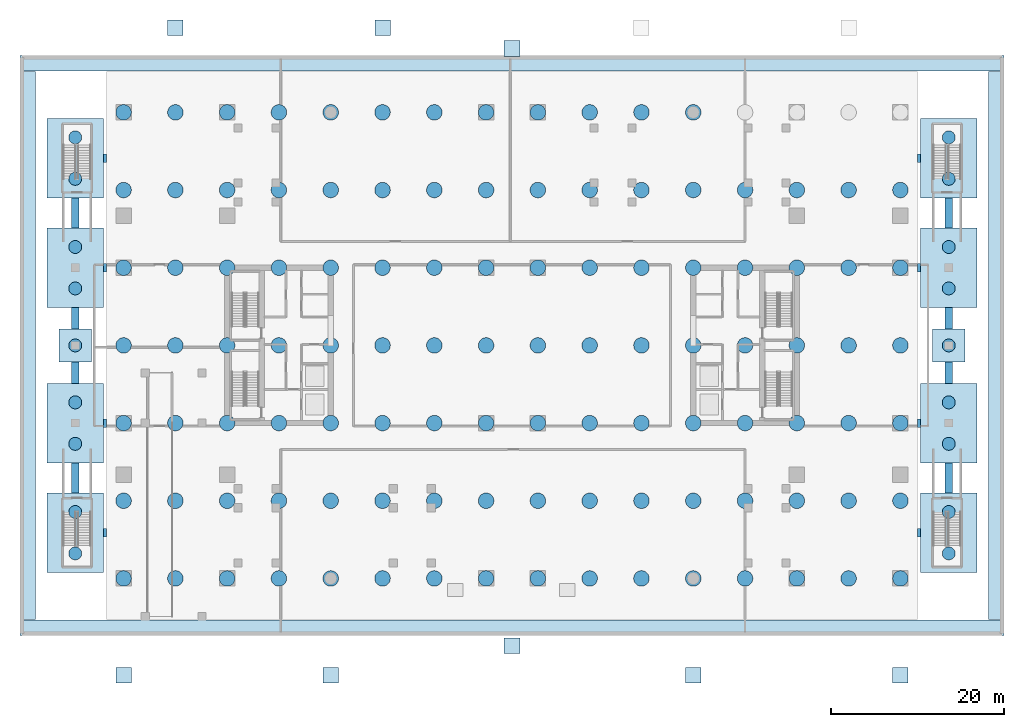
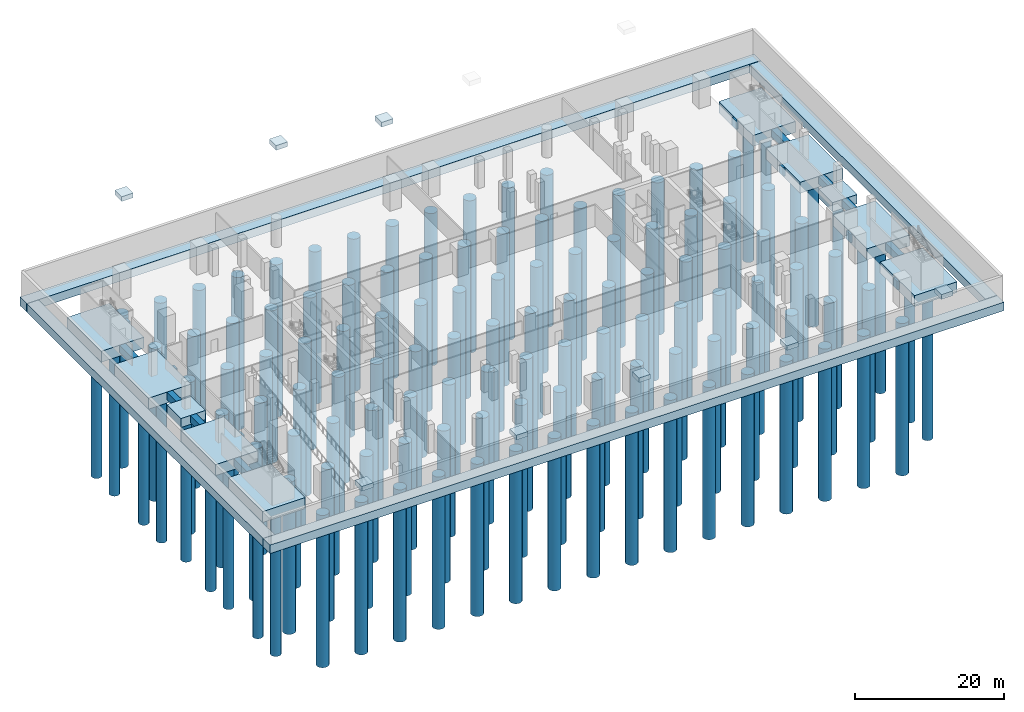
# One storey, part 1 of 14: 126 piles, 38 footings.
"""IFC4 building model written with IfcOpenShell, lengths in metres."""

import ifcopenshell
import ifcopenshell.guid

model = None  # the IFC model being written
_history = None  # IfcOwnerHistory: only IFC2X3 demands one
_inside = {}  # id of a spatial element -> (the spatial element, [elements in it])
_under = {}  # id of a project, library or spatial element -> (it, [spatial elements below it])
_declared = {}  # id of a project -> (the project, [libraries it declares])
_typed = {}  # id of a type object -> (the type object, [elements of that type])
_made_of = {}  # id of a material, layer set ... -> (it, [elements and type objects made of it])


def new_model(schema):
    """Start an empty IFC model of exactly this schema.

    Asked for "IFC4X3", IfcOpenShell would pick the latest addendum, in which some entities
    have other attributes; the version numbers below select the first issue.
    IFC2X3 requires an IfcOwnerHistory on every rooted entity: one is made here for all.
    """
    global model, _history
    if schema == "IFC4X3":
        model = ifcopenshell.file(schema_version=(4, 3, 0, 0))
    else:
        model = ifcopenshell.file(schema=schema)
    _inside.clear()
    _under.clear()
    _declared.clear()
    _typed.clear()
    _made_of.clear()
    _history = None
    if model.schema == "IFC2X3":
        org = make("IfcOrganization", Name="unknown")
        user = make(
            "IfcPersonAndOrganization",
            ThePerson=make("IfcPerson", FamilyName="unknown"),
            TheOrganization=org,
        )
        app = make(
            "IfcApplication",
            ApplicationDeveloper=org,
            Version="unknown",
            ApplicationFullName="unknown",
            ApplicationIdentifier="unknown",
        )
        _history = make(
            "IfcOwnerHistory",
            OwningUser=user,
            OwningApplication=app,
            ChangeAction="ADDED",
            CreationDate=0,
        )
    return model


def make(cls, **values):
    """One entity of the class cls with the attributes given. An attribute that is None is left unset."""
    return model.create_entity(
        cls, **{name: value for name, value in values.items() if value is not None}
    )


def rooted(cls, **values):
    """An entity with a GlobalId (a new one), such as an element, a storey or a relation."""
    return make(cls, GlobalId=ifcopenshell.guid.new(), OwnerHistory=_history, **values)


def si_unit(unit_type, name, prefix=None):
    """IfcSIUnit, for example si_unit("LENGTHUNIT", "METRE", prefix="MILLI")."""
    return make("IfcSIUnit", UnitType=unit_type, Prefix=prefix, Name=name)


def assignment(units):
    """IfcUnitAssignment: the units of a project."""
    return None if units is None else make("IfcUnitAssignment", Units=units)


def point(xyz):
    """IfcCartesianPoint."""
    return None if xyz is None else make("IfcCartesianPoint", Coordinates=xyz)


def direction(xyz):
    """IfcDirection."""
    return None if xyz is None else make("IfcDirection", DirectionRatios=xyz)


def frame(location, z_axis=None, x_axis=None):
    """IfcAxis2Placement3D, a coordinate frame: its origin and axes. An axis left out is left unset."""
    return make(
        "IfcAxis2Placement3D",
        Location=point(location),
        Axis=direction(z_axis),
        RefDirection=direction(x_axis),
    )


def frame_2d(location, x_axis=None):
    """IfcAxis2Placement2D, a coordinate frame in the plane: its origin and x axis."""
    return make(
        "IfcAxis2Placement2D", Location=point(location), RefDirection=direction(x_axis)
    )


def origin():
    """The frame at (0, 0, 0) with its axes left unset."""
    return frame((0.0, 0.0, 0.0))


def origin_2d():
    """The frame at (0, 0) in the plane with its x axis left unset."""
    return frame_2d((0.0, 0.0))


def place(relative_to, where):
    """IfcLocalPlacement: puts the frame where relative to a parent placement (None: the world)."""
    return make(
        "IfcLocalPlacement", PlacementRelTo=relative_to, RelativePlacement=where
    )


def context(
    kind, dimensions, precision=None, world=None, true_north=None, identifier=None
):
    """IfcGeometricRepresentationContext, for example the 3D "Model" context."""
    return make(
        "IfcGeometricRepresentationContext",
        ContextIdentifier=identifier,
        ContextType=kind,
        CoordinateSpaceDimension=dimensions,
        Precision=precision,
        WorldCoordinateSystem=world,
        TrueNorth=true_north,
    )


def subcontext(parent, identifier, kind, view, scale=None):
    """IfcGeometricRepresentationSubContext, for example "Body" below "Model"."""
    return make(
        "IfcGeometricRepresentationSubContext",
        ContextIdentifier=identifier,
        ContextType=kind,
        ParentContext=parent,
        TargetScale=scale,
        TargetView=view,
    )


def project(units=None, contexts=None):
    """IfcProject with its units and contexts."""
    return rooted(
        "IfcProject",
        Name="project",
        RepresentationContexts=contexts,
        UnitsInContext=assignment(units),
    )


def spatial(cls, under=None, at=None, **own):
    """A site, building, storey or space (cls), placed at a placement, below another one or the project."""
    s = rooted(cls, ObjectPlacement=at, **own)
    if under is not None:
        _under.setdefault(under.id(), (under, []))[1].append(s)
    return s


def polyline(points):
    """IfcPolyline through the points."""
    return make("IfcPolyline", Points=[point(p) for p in points])


def profile(cls, at=None, kind="AREA", **sizes):
    """A parametric profile (cls). Its sizes go by their IFC names, for example OverallWidth=200.0."""
    return make(cls, ProfileType=kind, Position=at, **sizes)


def rectangle(**sizes):
    """IfcRectangleProfileDef."""
    return profile("IfcRectangleProfileDef", **sizes)


def circle(**sizes):
    """IfcCircleProfileDef."""
    return profile("IfcCircleProfileDef", **sizes)


def outline(outer, holes=None, kind="AREA"):
    """IfcArbitraryClosedProfileDef: a profile drawn as a closed curve; with holes, ...WithVoids."""
    if holes is None:
        return make("IfcArbitraryClosedProfileDef", ProfileType=kind, OuterCurve=outer)
    return make(
        "IfcArbitraryProfileDefWithVoids",
        ProfileType=kind,
        OuterCurve=outer,
        InnerCurves=holes,
    )


def extrude(swept, where, along, depth):
    """IfcExtrudedAreaSolid: the profile swept, set in the frame where, extruded along a direction by depth."""
    return make(
        "IfcExtrudedAreaSolid",
        SweptArea=swept,
        Position=where,
        ExtrudedDirection=direction(along),
        Depth=depth,
    )


def shape(context_of_items, identifier, shape_type, items):
    """IfcShapeRepresentation: the items that make up one representation, for example the "Body"."""
    return make(
        "IfcShapeRepresentation",
        ContextOfItems=context_of_items,
        RepresentationIdentifier=identifier,
        RepresentationType=shape_type,
        Items=items,
    )


def material(Name=None, Category=None):
    """IfcMaterial."""
    return make("IfcMaterial", Name=Name, Category=Category)


def material_profile(
    of_material, cross_section, Name=None, Category=None, Priority=None
):
    """IfcMaterialProfile: a cross section and its material."""
    return make(
        "IfcMaterialProfile",
        Name=Name,
        Material=of_material,
        Profile=cross_section,
        Priority=Priority,
        Category=Category,
    )


def profile_set(profiles, Name=None, composite=None):
    """IfcMaterialProfileSet."""
    return make(
        "IfcMaterialProfileSet",
        Name=Name,
        MaterialProfiles=profiles,
        CompositeProfile=composite,
    )


def made_of(thing, what):
    """Note that an element or type object is made of a material, layer set ...; save() writes the relation."""
    if what is not None:
        _made_of.setdefault(what.id(), (what, []))[1].append(thing)
    return thing


def type_object(cls, material=None, **own):
    """A type object (cls), such as IfcWallType, which elements share."""
    return made_of(rooted(cls, **own), material)


def element(
    cls,
    number,
    at=None,
    inside=None,
    cuts=None,
    type_object=None,
    material=None,
    context=None,
    identifier="Body",
    shape_type=None,
    held_by="IfcProductDefinitionShape",
    body=None,
    shapes=None,
    **own,
):
    """One element of the class cls, such as IfcWall. Its Tag is "e" and its number.

    at: its placement. inside: the storey or other place that contains it. cuts: it is an
    opening in that element (IfcRelVoidsElement). A single representation is given by context,
    identifier, shape_type and body (its items); several are given by shapes. held_by: the class
    of the entity that holds the representations. save() writes the other relations.
    """
    e = rooted(cls, Tag="e%d" % number, ObjectPlacement=at, **own)
    if body is not None:
        shapes = [shape(context, identifier, shape_type, body)]
    if shapes is not None:
        e.Representation = make(held_by, Representations=shapes)
    if inside is not None:
        _inside.setdefault(inside.id(), (inside, []))[1].append(e)
    if cuts is not None:
        rooted(
            "IfcRelVoidsElement", RelatingBuildingElement=cuts, RelatedOpeningElement=e
        )
    if type_object is not None:
        _typed.setdefault(type_object.id(), (type_object, []))[1].append(e)
    return made_of(e, material)


def aggregate(whole, parts):
    """IfcRelAggregates: a whole, such as a stair, and the parts it consists of."""
    return rooted("IfcRelAggregates", RelatingObject=whole, RelatedObjects=parts)


def save(model, path):
    """Write the relations noted so far, then the file.

    IfcRelAggregates (storeys below a building ...), IfcRelContainedInSpatialStructure (elements
    in a storey), IfcRelDefinesByType, IfcRelAssociatesMaterial and IfcRelDeclares: one each for
    every whole, place, type object, material and project.
    """
    for whole, parts in _under.values():
        aggregate(whole, parts)
    for where, things in _inside.values():
        rooted(
            "IfcRelContainedInSpatialStructure",
            RelatedElements=things,
            RelatingStructure=where,
        )
    for kind, things in _typed.values():
        rooted("IfcRelDefinesByType", RelatedObjects=things, RelatingType=kind)
    for what, things in _made_of.values():
        rooted("IfcRelAssociatesMaterial", RelatedObjects=things, RelatingMaterial=what)
    for by, libraries in _declared.values():
        rooted("IfcRelDeclares", RelatingContext=by, RelatedDefinitions=libraries)
    model.write(path)


model = new_model("IFC4")

# Units and contexts
model_context = context("Model", 3, precision=1e-05, world=origin(), true_north=direction((0.0, 1.0)))
body_context = subcontext(model_context, "Body", "Model", "MODEL_VIEW")
ifc_project = project(units=[si_unit("LENGTHUNIT", "METRE"), si_unit("AREAUNIT", "SQUARE_METRE"), si_unit("VOLUMEUNIT", "CUBIC_METRE"), si_unit("PLANEANGLEUNIT", "RADIAN"), si_unit("MASSUNIT", "GRAM", prefix="KILO")], contexts=[model_context])

# Site, building, storey
site_placement = place(None, origin())
site = spatial("IfcSite", under=ifc_project, at=site_placement, CompositionType="ELEMENT")
building_placement = place(site_placement, origin())
building = spatial("IfcBuilding", under=site, at=building_placement, Name="Tanjung Sevakor Pilgrim Tower", CompositionType="ELEMENT")
storey_placement = place(building_placement, frame((0.0, 0.0, -9.239990234375)))
storey = spatial("IfcBuildingStorey", under=building, at=storey_placement, Name="B02", CompositionType="ELEMENT", Elevation=-9.239990234375)

# Footings
ifc_material_1 = material(Name="Concrete C50/60", Category="concrete")
footing_type_1 = type_object("IfcFootingType", Name="FT-GB-1000x1400", PredefinedType="FOOTING_BEAM", material=ifc_material_1)
footing_1_placement = place(storey_placement, frame((0.0, 0.0, -1.39990234375)))
element("IfcFooting", 1, at=footing_1_placement, inside=storey, type_object=footing_type_1, Name="Tie Footing Beam PC-W1", PredefinedType="FOOTING_BEAM", context=body_context, shape_type="SweptSolid", body=[
    extrude(outline(polyline([(9.699951171875, 11.39990234375), (10.0, 11.39990234375), (10.0, 12.39990234375), (9.699951171875, 12.39990234375), (9.699951171875, 11.39990234375)])), origin(), (0.0, 0.0, 1.0), 1.39990234375),
])
footing_2_placement = place(storey_placement, frame((0.0, 0.0, -1.39990234375)))
element("IfcFooting", 2, at=footing_2_placement, inside=storey, type_object=footing_type_1, Name="Tie Footing Beam PC-W2", PredefinedType="FOOTING_BEAM", context=body_context, shape_type="SweptSolid", body=[
    extrude(outline(polyline([(9.699951171875, 24.10009765625), (10.0, 24.10009765625), (10.0, 25.10009765625), (9.699951171875, 25.10009765625), (9.699951171875, 24.10009765625)])), origin(), (0.0, 0.0, 1.0), 1.39990234375),
])
footing_3_placement = place(storey_placement, frame((0.0, 0.0, -1.39990234375)))
element("IfcFooting", 3, at=footing_3_placement, inside=storey, type_object=footing_type_1, Name="Tie Footing Beam PC-W3", PredefinedType="FOOTING_BEAM", context=body_context, shape_type="SweptSolid", body=[
    extrude(outline(polyline([(9.699951171875, 42.10009765625), (10.0, 42.10009765625), (10.0, 43.10009765625), (9.699951171875, 43.10009765625), (9.699951171875, 42.10009765625)])), origin(), (0.0, 0.0, 1.0), 1.39990234375),
])
footing_4_placement = place(storey_placement, frame((0.0, 0.0, -1.39990234375)))
element("IfcFooting", 4, at=footing_4_placement, inside=storey, type_object=footing_type_1, Name="Tie Footing Beam PC-W4", PredefinedType="FOOTING_BEAM", context=body_context, shape_type="SweptSolid", body=[
    extrude(outline(polyline([(9.699951171875, 54.800048828125), (10.0, 54.800048828125), (10.0, 55.800048828125), (9.699951171875, 55.800048828125), (9.699951171875, 54.800048828125)])), origin(), (0.0, 0.0, 1.0), 1.39990234375),
])
footing_5_placement = place(storey_placement, frame((0.0, 0.0, -1.39990234375)))
element("IfcFooting", 5, at=footing_5_placement, inside=storey, type_object=footing_type_1, Name="Tie Footing Beam PC-E1", PredefinedType="FOOTING_BEAM", context=body_context, shape_type="SweptSolid", body=[
    extrude(outline(polyline([(104.0, 11.39990234375), (104.300048828125, 11.39990234375), (104.300048828125, 12.39990234375), (104.0, 12.39990234375), (104.0, 11.39990234375)])), origin(), (0.0, 0.0, 1.0), 1.39990234375),
])
footing_6_placement = place(storey_placement, frame((0.0, 0.0, -1.39990234375)))
element("IfcFooting", 6, at=footing_6_placement, inside=storey, type_object=footing_type_1, Name="Tie Footing Beam PC-E2", PredefinedType="FOOTING_BEAM", context=body_context, shape_type="SweptSolid", body=[
    extrude(outline(polyline([(104.0, 24.10009765625), (104.300048828125, 24.10009765625), (104.300048828125, 25.10009765625), (104.0, 25.10009765625), (104.0, 24.10009765625)])), origin(), (0.0, 0.0, 1.0), 1.39990234375),
])
footing_7_placement = place(storey_placement, frame((0.0, 0.0, -1.39990234375)))
element("IfcFooting", 7, at=footing_7_placement, inside=storey, type_object=footing_type_1, Name="Tie Footing Beam PC-E3", PredefinedType="FOOTING_BEAM", context=body_context, shape_type="SweptSolid", body=[
    extrude(outline(polyline([(104.0, 42.10009765625), (104.300048828125, 42.10009765625), (104.300048828125, 43.10009765625), (104.0, 43.10009765625), (104.0, 42.10009765625)])), origin(), (0.0, 0.0, 1.0), 1.39990234375),
])
footing_8_placement = place(storey_placement, frame((0.0, 0.0, -1.39990234375)))
element("IfcFooting", 8, at=footing_8_placement, inside=storey, type_object=footing_type_1, Name="Tie Footing Beam PC-E4", PredefinedType="FOOTING_BEAM", context=body_context, shape_type="SweptSolid", body=[
    extrude(outline(polyline([(104.0, 54.800048828125), (104.300048828125, 54.800048828125), (104.300048828125, 55.800048828125), (104.0, 55.800048828125), (104.0, 54.800048828125)])), origin(), (0.0, 0.0, 1.0), 1.39990234375),
])
ifc_material_2 = material(Name="Concrete C50/60", Category="concrete")
footing_type_2 = type_object("IfcFootingType", Name="FT-GB-900x1200", PredefinedType="FOOTING_BEAM", material=ifc_material_2)
footing_9_placement = place(storey_placement, frame((0.0, 0.0, -1.199951171875)))
element("IfcFooting", 9, at=footing_9_placement, inside=storey, type_object=footing_type_2, Name="Perimeter Tie Beam W-1", PredefinedType="FOOTING_BEAM", context=body_context, shape_type="SweptSolid", body=[
    extrude(outline(polyline([(5.949951171875, 16.5), (6.85009765625, 16.5), (6.85009765625, 20.0), (5.949951171875, 20.0), (5.949951171875, 16.5)])), origin(), (0.0, 0.0, 1.0), 1.199951171875),
])
footing_10_placement = place(storey_placement, frame((0.0, 0.0, -1.199951171875)))
element("IfcFooting", 10, at=footing_10_placement, inside=storey, type_object=footing_type_2, Name="Perimeter Tie Beam W-2", PredefinedType="FOOTING_BEAM", context=body_context, shape_type="SweptSolid", body=[
    extrude(outline(polyline([(5.949951171875, 29.199951171875), (6.85009765625, 29.199951171875), (6.85009765625, 31.699951171875), (5.949951171875, 31.699951171875), (5.949951171875, 29.199951171875)])), origin(), (0.0, 0.0, 1.0), 1.199951171875),
])
footing_11_placement = place(storey_placement, frame((0.0, 0.0, -1.199951171875)))
element("IfcFooting", 11, at=footing_11_placement, inside=storey, type_object=footing_type_2, Name="Perimeter Tie Beam W-3", PredefinedType="FOOTING_BEAM", context=body_context, shape_type="SweptSolid", body=[
    extrude(outline(polyline([(5.949951171875, 35.5), (6.85009765625, 35.5), (6.85009765625, 38.0), (5.949951171875, 38.0), (5.949951171875, 35.5)])), origin(), (0.0, 0.0, 1.0), 1.199951171875),
])
footing_12_placement = place(storey_placement, frame((0.0, 0.0, -1.199951171875)))
element("IfcFooting", 12, at=footing_12_placement, inside=storey, type_object=footing_type_2, Name="Perimeter Tie Beam W-4", PredefinedType="FOOTING_BEAM", context=body_context, shape_type="SweptSolid", body=[
    extrude(outline(polyline([(5.949951171875, 47.199951171875), (6.85009765625, 47.199951171875), (6.85009765625, 50.699951171875), (5.949951171875, 50.699951171875), (5.949951171875, 47.199951171875)])), origin(), (0.0, 0.0, 1.0), 1.199951171875),
])
footing_13_placement = place(storey_placement, frame((0.0, 0.0, -1.199951171875)))
element("IfcFooting", 13, at=footing_13_placement, inside=storey, type_object=footing_type_2, Name="Perimeter Tie Beam E-1", PredefinedType="FOOTING_BEAM", context=body_context, shape_type="SweptSolid", body=[
    extrude(outline(polyline([(107.14990234375, 16.5), (108.050048828125, 16.5), (108.050048828125, 20.0), (107.14990234375, 20.0), (107.14990234375, 16.5)])), origin(), (0.0, 0.0, 1.0), 1.199951171875),
])
footing_14_placement = place(storey_placement, frame((0.0, 0.0, -1.199951171875)))
element("IfcFooting", 14, at=footing_14_placement, inside=storey, type_object=footing_type_2, Name="Perimeter Tie Beam E-2", PredefinedType="FOOTING_BEAM", context=body_context, shape_type="SweptSolid", body=[
    extrude(outline(polyline([(107.14990234375, 29.199951171875), (108.050048828125, 29.199951171875), (108.050048828125, 31.699951171875), (107.14990234375, 31.699951171875), (107.14990234375, 29.199951171875)])), origin(), (0.0, 0.0, 1.0), 1.199951171875),
])
footing_15_placement = place(storey_placement, frame((0.0, 0.0, -1.199951171875)))
element("IfcFooting", 15, at=footing_15_placement, inside=storey, type_object=footing_type_2, Name="Perimeter Tie Beam E-3", PredefinedType="FOOTING_BEAM", context=body_context, shape_type="SweptSolid", body=[
    extrude(outline(polyline([(107.14990234375, 35.5), (108.050048828125, 35.5), (108.050048828125, 38.0), (107.14990234375, 38.0), (107.14990234375, 35.5)])), origin(), (0.0, 0.0, 1.0), 1.199951171875),
])
footing_16_placement = place(storey_placement, frame((0.0, 0.0, -1.199951171875)))
element("IfcFooting", 16, at=footing_16_placement, inside=storey, type_object=footing_type_2, Name="Perimeter Tie Beam E-4", PredefinedType="FOOTING_BEAM", context=body_context, shape_type="SweptSolid", body=[
    extrude(outline(polyline([(107.14990234375, 47.199951171875), (108.050048828125, 47.199951171875), (108.050048828125, 50.699951171875), (107.14990234375, 50.699951171875), (107.14990234375, 47.199951171875)])), origin(), (0.0, 0.0, 1.0), 1.199951171875),
])
ifc_material_3 = material(Name="Concrete C50/60", Category="concrete")
footing_type_3 = type_object("IfcFootingType", Name="FT-PAD-A", PredefinedType="PAD_FOOTING", material=ifc_material_3)
for number, where, z_axis, x_axis, name in (
    (17, (6.39990234375, 33.60009765625, -1.5), (0.0, 0.0, 1.0), (1.0, 0.0, 0.0), "Substructure Pad Footing 01"),
    (18, (107.60009765625, 33.60009765625, -1.5), (0.0, 0.0, 1.0), (1.0, 0.0, 0.0), "Substructure Pad Footing 02"),
):
    element("IfcFooting", number, at=place(storey_placement, frame(where, z_axis=z_axis, x_axis=x_axis)), inside=storey, type_object=footing_type_3, Name=name, PredefinedType="PAD_FOOTING", context=body_context, shape_type="SweptSolid", body=[
        extrude(rectangle(XDim=3.800048828125, YDim=3.800048828125, at=origin_2d()), origin(), (0.0, 0.0, 1.0), 1.5),
    ])
footing_17_placement = place(storey_placement, frame((0.0, 0.0, 8.2900390625)))
element("IfcFooting", 19, at=footing_17_placement, inside=storey, type_object=footing_type_3, Name="B01 Plaza Edge Pad Footing S1", PredefinedType="PAD_FOOTING", context=body_context, shape_type="SweptSolid", body=[
    extrude(outline(polyline([(11.10009765625, -5.5), (12.89990234375, -5.5), (12.89990234375, -3.699951171875), (11.10009765625, -3.699951171875), (11.10009765625, -5.5)])), origin(), (0.0, 0.0, 1.0), 0.77001953125),
])
footing_18_placement = place(storey_placement, frame((0.0, 0.0, 8.2900390625)))
element("IfcFooting", 20, at=footing_18_placement, inside=storey, type_object=footing_type_3, Name="B01 Plaza Edge Pad Footing S2", PredefinedType="PAD_FOOTING", context=body_context, shape_type="SweptSolid", body=[
    extrude(outline(polyline([(35.10009765625, -5.5), (36.89990234375, -5.5), (36.89990234375, -3.699951171875), (35.10009765625, -3.699951171875), (35.10009765625, -5.5)])), origin(), (0.0, 0.0, 1.0), 0.77001953125),
])
footing_19_placement = place(storey_placement, frame((0.0, 0.0, 8.2900390625)))
element("IfcFooting", 21, at=footing_19_placement, inside=storey, type_object=footing_type_3, Name="B01 Plaza Edge Pad Footing S3", PredefinedType="PAD_FOOTING", context=body_context, shape_type="SweptSolid", body=[
    extrude(outline(polyline([(56.10009765625, -2.10009765625), (57.89990234375, -2.10009765625), (57.89990234375, -0.300048828125), (56.10009765625, -0.300048828125), (56.10009765625, -2.10009765625)])), origin(), (0.0, 0.0, 1.0), 0.77001953125),
])
footing_20_placement = place(storey_placement, frame((0.0, 0.0, 8.2900390625)))
element("IfcFooting", 22, at=footing_20_placement, inside=storey, type_object=footing_type_3, Name="B01 Plaza Edge Pad Footing S4", PredefinedType="PAD_FOOTING", context=body_context, shape_type="SweptSolid", body=[
    extrude(outline(polyline([(77.10009765625, -5.5), (78.89990234375, -5.5), (78.89990234375, -3.699951171875), (77.10009765625, -3.699951171875), (77.10009765625, -5.5)])), origin(), (0.0, 0.0, 1.0), 0.77001953125),
])
footing_21_placement = place(storey_placement, frame((0.0, 0.0, 8.2900390625)))
element("IfcFooting", 23, at=footing_21_placement, inside=storey, type_object=footing_type_3, Name="B01 Plaza Edge Pad Footing S5", PredefinedType="PAD_FOOTING", context=body_context, shape_type="SweptSolid", body=[
    extrude(outline(polyline([(101.10009765625, -5.5), (102.89990234375, -5.5), (102.89990234375, -3.699951171875), (101.10009765625, -3.699951171875), (101.10009765625, -5.5)])), origin(), (0.0, 0.0, 1.0), 0.77001953125),
])
footing_22_placement = place(storey_placement, frame((0.0, 0.0, 8.2900390625)))
element("IfcFooting", 24, at=footing_22_placement, inside=storey, type_object=footing_type_3, Name="B01 Plaza Edge Pad Footing N1", PredefinedType="PAD_FOOTING", context=body_context, shape_type="SweptSolid", body=[
    extrude(outline(polyline([(17.10009765625, 69.5), (18.89990234375, 69.5), (18.89990234375, 71.300048828125), (17.10009765625, 71.300048828125), (17.10009765625, 69.5)])), origin(), (0.0, 0.0, 1.0), 0.77001953125),
])
footing_23_placement = place(storey_placement, frame((0.0, 0.0, 8.2900390625)))
element("IfcFooting", 25, at=footing_23_placement, inside=storey, type_object=footing_type_3, Name="B01 Plaza Edge Pad Footing N2", PredefinedType="PAD_FOOTING", context=body_context, shape_type="SweptSolid", body=[
    extrude(outline(polyline([(41.10009765625, 69.5), (42.89990234375, 69.5), (42.89990234375, 71.300048828125), (41.10009765625, 71.300048828125), (41.10009765625, 69.5)])), origin(), (0.0, 0.0, 1.0), 0.77001953125),
])
footing_24_placement = place(storey_placement, frame((0.0, 0.0, 8.2900390625)))
element("IfcFooting", 26, at=footing_24_placement, inside=storey, type_object=footing_type_3, Name="B01 Plaza Edge Pad Footing N3", PredefinedType="PAD_FOOTING", context=body_context, shape_type="SweptSolid", body=[
    extrude(outline(polyline([(56.10009765625, 67.10009765625), (57.89990234375, 67.10009765625), (57.89990234375, 68.89990234375), (56.10009765625, 68.89990234375), (56.10009765625, 67.10009765625)])), origin(), (0.0, 0.0, 1.0), 0.77001953125),
])
ifc_material_4 = material(Name="Concrete C50/60", Category="concrete")
footing_type_4 = type_object("IfcFootingType", Name="FT-PCAP-A", PredefinedType="PILE_CAP", material=ifc_material_4)
for number, where, z_axis, x_axis, name in (
    (27, (6.39990234375, 11.89990234375, -1.7998046875), (0.0, 0.0, 1.0), (1.0, 0.0, 0.0), "Outer Pile Cap PC-W1"),
    (28, (6.39990234375, 24.60009765625, -1.7998046875), (0.0, 0.0, 1.0), (1.0, 0.0, 0.0), "Outer Pile Cap PC-W2"),
    (29, (6.39990234375, 42.60009765625, -1.7998046875), (0.0, 0.0, 1.0), (1.0, 0.0, 0.0), "Outer Pile Cap PC-W3"),
    (30, (6.39990234375, 55.300048828125, -1.7998046875), (0.0, 0.0, 1.0), (1.0, 0.0, 0.0), "Outer Pile Cap PC-W4"),
    (31, (107.60009765625, 11.89990234375, -1.7998046875), (0.0, 0.0, 1.0), (1.0, 0.0, 0.0), "Outer Pile Cap PC-E1"),
    (32, (107.60009765625, 24.60009765625, -1.7998046875), (0.0, 0.0, 1.0), (1.0, 0.0, 0.0), "Outer Pile Cap PC-E2"),
    (33, (107.60009765625, 42.60009765625, -1.7998046875), (0.0, 0.0, 1.0), (1.0, 0.0, 0.0), "Outer Pile Cap PC-E3"),
    (34, (107.60009765625, 55.300048828125, -1.7998046875), (0.0, 0.0, 1.0), (1.0, 0.0, 0.0), "Outer Pile Cap PC-E4"),
):
    element("IfcFooting", number, at=place(storey_placement, frame(where, z_axis=z_axis, x_axis=x_axis)), inside=storey, type_object=footing_type_4, Name=name, PredefinedType="PILE_CAP", context=body_context, shape_type="SweptSolid", body=[
        extrude(rectangle(XDim=6.60009765625, YDim=9.199951171875, at=origin_2d()), origin(), (0.0, 0.0, 1.0), 1.800048828125),
    ])
ifc_material_5 = material(Name="Concrete C50/60", Category="concrete")
footing_type_5 = type_object("IfcFootingType", Name="FT-STRIP-PERIM", PredefinedType="STRIP_FOOTING", material=ifc_material_5)
footing_25_placement = place(storey_placement, frame((0.0, 0.0, -1.39990234375)))
element("IfcFooting", 35, at=footing_25_placement, inside=storey, type_object=footing_type_5, Name="Perimeter Strip Footing S", PredefinedType="STRIP_FOOTING", context=body_context, shape_type="SweptSolid", body=[
    extrude(outline(polyline([(0.0, 0.0), (114.0, 0.0), (114.0, 1.800048828125), (0.0, 1.800048828125), (0.0, 0.0)])), origin(), (0.0, 0.0, 1.0), 1.39990234375),
])
footing_26_placement = place(storey_placement, frame((0.0, 0.0, -1.39990234375)))
element("IfcFooting", 36, at=footing_26_placement, inside=storey, type_object=footing_type_5, Name="Perimeter Strip Footing N", PredefinedType="STRIP_FOOTING", context=body_context, shape_type="SweptSolid", body=[
    extrude(outline(polyline([(0.0, 65.39990234375), (114.0, 65.39990234375), (114.0, 67.199951171875), (0.0, 67.199951171875), (0.0, 65.39990234375)])), origin(), (0.0, 0.0, 1.0), 1.39990234375),
])
footing_27_placement = place(storey_placement, frame((0.0, 0.0, -1.39990234375)))
element("IfcFooting", 37, at=footing_27_placement, inside=storey, type_object=footing_type_5, Name="Perimeter Strip Footing W", PredefinedType="STRIP_FOOTING", context=body_context, shape_type="SweptSolid", body=[
    extrude(outline(polyline([(0.0, 1.85009765625), (1.800048828125, 1.85009765625), (1.800048828125, 65.35009765625), (0.0, 65.35009765625), (0.0, 1.85009765625)])), origin(), (0.0, 0.0, 1.0), 1.39990234375),
])
footing_28_placement = place(storey_placement, frame((0.0, 0.0, -1.39990234375)))
element("IfcFooting", 38, at=footing_28_placement, inside=storey, type_object=footing_type_5, Name="Perimeter Strip Footing E", PredefinedType="STRIP_FOOTING", context=body_context, shape_type="SweptSolid", body=[
    extrude(outline(polyline([(112.199951171875, 1.85009765625), (114.0, 1.85009765625), (114.0, 65.35009765625), (112.199951171875, 65.35009765625), (112.199951171875, 1.85009765625)])), origin(), (0.0, 0.0, 1.0), 1.39990234375),
])

# Piles
ifc_material_6 = material(Name="Concrete C50/60", Category="concrete")
ifc_material_profile_1 = material_profile(ifc_material_6, circle(Radius=0.75, at=origin_2d()))
ifc_profile_set_1 = profile_set([ifc_material_profile_1], Name="Concrete C50/60")
pile_type_1 = type_object("IfcPileType", Name="PL-BORED-1500", PredefinedType="BORED", material=ifc_profile_set_1)
for number, where, z_axis, x_axis, name in (
    (39, (6.39990234375, 9.5, -1.699951171875), (0.0, 0.0, -1.0), (1.0, 0.0, 0.0), "Cap Bored Pile PC-W1-1"),
    (40, (6.39990234375, 14.300048828125, -1.699951171875), (0.0, 0.0, -1.0), (1.0, 0.0, 0.0), "Cap Bored Pile PC-W1-2"),
    (41, (6.39990234375, 22.199951171875, -1.699951171875), (0.0, 0.0, -1.0), (1.0, 0.0, 0.0), "Cap Bored Pile PC-W2-1"),
    (42, (6.39990234375, 27.0, -1.699951171875), (0.0, 0.0, -1.0), (1.0, 0.0, 0.0), "Cap Bored Pile PC-W2-2"),
    (43, (6.39990234375, 40.199951171875, -1.699951171875), (0.0, 0.0, -1.0), (1.0, 0.0, 0.0), "Cap Bored Pile PC-W3-1"),
    (44, (6.39990234375, 45.0, -1.699951171875), (0.0, 0.0, -1.0), (1.0, 0.0, 0.0), "Cap Bored Pile PC-W3-2"),
    (45, (6.39990234375, 52.89990234375, -1.699951171875), (0.0, 0.0, -1.0), (1.0, 0.0, 0.0), "Cap Bored Pile PC-W4-1"),
    (46, (6.39990234375, 57.699951171875, -1.699951171875), (0.0, 0.0, -1.0), (1.0, 0.0, 0.0), "Cap Bored Pile PC-W4-2"),
    (47, (107.60009765625, 9.5, -1.699951171875), (0.0, 0.0, -1.0), (1.0, 0.0, 0.0), "Cap Bored Pile PC-E1-1"),
    (48, (107.60009765625, 14.300048828125, -1.699951171875), (0.0, 0.0, -1.0), (1.0, 0.0, 0.0), "Cap Bored Pile PC-E1-2"),
    (49, (107.60009765625, 22.199951171875, -1.699951171875), (0.0, 0.0, -1.0), (1.0, 0.0, 0.0), "Cap Bored Pile PC-E2-1"),
    (50, (107.60009765625, 27.0, -1.699951171875), (0.0, 0.0, -1.0), (1.0, 0.0, 0.0), "Cap Bored Pile PC-E2-2"),
    (51, (107.60009765625, 40.199951171875, -1.699951171875), (0.0, 0.0, -1.0), (1.0, 0.0, 0.0), "Cap Bored Pile PC-E3-1"),
    (52, (107.60009765625, 45.0, -1.699951171875), (0.0, 0.0, -1.0), (1.0, 0.0, 0.0), "Cap Bored Pile PC-E3-2"),
    (53, (107.60009765625, 52.89990234375, -1.699951171875), (0.0, 0.0, -1.0), (1.0, 0.0, 0.0), "Cap Bored Pile PC-E4-1"),
    (54, (107.60009765625, 57.699951171875, -1.699951171875), (0.0, 0.0, -1.0), (1.0, 0.0, 0.0), "Cap Bored Pile PC-E4-2"),
):
    element("IfcPile", number, at=place(storey_placement, frame(where, z_axis=z_axis, x_axis=x_axis)), inside=storey, type_object=pile_type_1, Name=name, PredefinedType="BORED", context=body_context, shape_type="SweptSolid", body=[
        extrude(circle(Radius=0.75, at=origin_2d()), origin(), (0.0, 0.0, 1.0), 24.06005859375),
    ])
for number, where, z_axis, x_axis, name in (
    (55, (6.39990234375, 33.60009765625, -1.39990234375), (0.0, 0.0, -1.0), (1.0, 0.0, 0.0), "Pad Bored Pile 01"),
    (56, (107.60009765625, 33.60009765625, -1.39990234375), (0.0, 0.0, -1.0), (1.0, 0.0, 0.0), "Pad Bored Pile 02"),
):
    element("IfcPile", number, at=place(storey_placement, frame(where, z_axis=z_axis, x_axis=x_axis)), inside=storey, type_object=pile_type_1, Name=name, PredefinedType="BORED", context=body_context, shape_type="SweptSolid", body=[
        extrude(circle(Radius=0.75, at=origin_2d()), origin(), (0.0, 0.0, 1.0), 23.5),
    ])
ifc_material_7 = material(Name="Concrete C50/60", Category="concrete")
ifc_material_profile_2 = material_profile(ifc_material_7, circle(Radius=0.89990234375, at=origin_2d()))
ifc_profile_set_2 = profile_set([ifc_material_profile_2], Name="Concrete C50/60")
pile_type_2 = type_object("IfcPileType", Name="PL-BORED-1800", PredefinedType="BORED", material=ifc_profile_set_2)
for number, where, z_axis, x_axis, name in (
    (57, (12.0, 6.60009765625, -2.699951171875), (0.0, 0.0, -1.0), (1.0, 0.0, 0.0), "Raft Bored Pile 001"),
    (58, (12.0, 15.60009765625, -2.699951171875), (0.0, 0.0, -1.0), (1.0, 0.0, 0.0), "Raft Bored Pile 002"),
    (59, (12.0, 24.60009765625, -2.699951171875), (0.0, 0.0, -1.0), (1.0, 0.0, 0.0), "Raft Bored Pile 003"),
    (60, (12.0, 33.60009765625, -2.699951171875), (0.0, 0.0, -1.0), (1.0, 0.0, 0.0), "Raft Bored Pile 004"),
    (61, (12.0, 42.60009765625, -2.699951171875), (0.0, 0.0, -1.0), (1.0, 0.0, 0.0), "Raft Bored Pile 005"),
    (62, (12.0, 51.60009765625, -2.699951171875), (0.0, 0.0, -1.0), (1.0, 0.0, 0.0), "Raft Bored Pile 006"),
    (63, (12.0, 60.60009765625, -2.699951171875), (0.0, 0.0, -1.0), (1.0, 0.0, 0.0), "Raft Bored Pile 007"),
    (64, (18.0, 6.60009765625, -2.699951171875), (0.0, 0.0, -1.0), (1.0, 0.0, 0.0), "Raft Bored Pile 008"),
    (65, (18.0, 15.60009765625, -2.699951171875), (0.0, 0.0, -1.0), (1.0, 0.0, 0.0), "Raft Bored Pile 009"),
    (66, (18.0, 24.60009765625, -2.699951171875), (0.0, 0.0, -1.0), (1.0, 0.0, 0.0), "Raft Bored Pile 010"),
    (67, (18.0, 33.60009765625, -2.699951171875), (0.0, 0.0, -1.0), (1.0, 0.0, 0.0), "Raft Bored Pile 011"),
    (68, (18.0, 42.60009765625, -2.699951171875), (0.0, 0.0, -1.0), (1.0, 0.0, 0.0), "Raft Bored Pile 012"),
    (69, (18.0, 51.60009765625, -2.699951171875), (0.0, 0.0, -1.0), (1.0, 0.0, 0.0), "Raft Bored Pile 013"),
    (70, (18.0, 60.60009765625, -2.699951171875), (0.0, 0.0, -1.0), (1.0, 0.0, 0.0), "Raft Bored Pile 014"),
    (71, (24.0, 6.60009765625, -2.699951171875), (0.0, 0.0, -1.0), (1.0, 0.0, 0.0), "Raft Bored Pile 015"),
    (72, (24.0, 15.60009765625, -2.699951171875), (0.0, 0.0, -1.0), (1.0, 0.0, 0.0), "Raft Bored Pile 016"),
    (73, (24.0, 24.60009765625, -2.699951171875), (0.0, 0.0, -1.0), (1.0, 0.0, 0.0), "Raft Bored Pile 017"),
    (74, (24.0, 33.60009765625, -2.699951171875), (0.0, 0.0, -1.0), (1.0, 0.0, 0.0), "Raft Bored Pile 018"),
    (75, (24.0, 42.60009765625, -2.699951171875), (0.0, 0.0, -1.0), (1.0, 0.0, 0.0), "Raft Bored Pile 019"),
    (76, (24.0, 51.60009765625, -2.699951171875), (0.0, 0.0, -1.0), (1.0, 0.0, 0.0), "Raft Bored Pile 020"),
    (77, (24.0, 60.60009765625, -2.699951171875), (0.0, 0.0, -1.0), (1.0, 0.0, 0.0), "Raft Bored Pile 021"),
    (78, (30.0, 6.60009765625, -2.699951171875), (0.0, 0.0, -1.0), (1.0, 0.0, 0.0), "Raft Bored Pile 022"),
    (79, (30.0, 15.60009765625, -2.699951171875), (0.0, 0.0, -1.0), (1.0, 0.0, 0.0), "Raft Bored Pile 023"),
    (80, (30.0, 24.60009765625, -2.699951171875), (0.0, 0.0, -1.0), (1.0, 0.0, 0.0), "Raft Bored Pile 024"),
    (81, (30.0, 33.60009765625, -2.699951171875), (0.0, 0.0, -1.0), (1.0, 0.0, 0.0), "Raft Bored Pile 025"),
    (82, (30.0, 42.60009765625, -2.699951171875), (0.0, 0.0, -1.0), (1.0, 0.0, 0.0), "Raft Bored Pile 026"),
    (83, (30.0, 51.60009765625, -2.699951171875), (0.0, 0.0, -1.0), (1.0, 0.0, 0.0), "Raft Bored Pile 027"),
    (84, (30.0, 60.60009765625, -2.699951171875), (0.0, 0.0, -1.0), (1.0, 0.0, 0.0), "Raft Bored Pile 028"),
    (85, (36.0, 6.60009765625, -2.699951171875), (0.0, 0.0, -1.0), (1.0, 0.0, 0.0), "Raft Bored Pile 029"),
    (86, (36.0, 15.60009765625, -2.699951171875), (0.0, 0.0, -1.0), (1.0, 0.0, 0.0), "Raft Bored Pile 030"),
    (87, (36.0, 24.60009765625, -2.699951171875), (0.0, 0.0, -1.0), (1.0, 0.0, 0.0), "Raft Bored Pile 031"),
    (88, (36.0, 33.60009765625, -2.699951171875), (0.0, 0.0, -1.0), (1.0, 0.0, 0.0), "Raft Bored Pile 032"),
    (89, (36.0, 42.60009765625, -2.699951171875), (0.0, 0.0, -1.0), (1.0, 0.0, 0.0), "Raft Bored Pile 033"),
    (90, (36.0, 51.60009765625, -2.699951171875), (0.0, 0.0, -1.0), (1.0, 0.0, 0.0), "Raft Bored Pile 034"),
    (91, (36.0, 60.60009765625, -2.699951171875), (0.0, 0.0, -1.0), (1.0, 0.0, 0.0), "Raft Bored Pile 035"),
    (92, (42.0, 6.60009765625, -2.699951171875), (0.0, 0.0, -1.0), (1.0, 0.0, 0.0), "Raft Bored Pile 036"),
    (93, (42.0, 15.60009765625, -2.699951171875), (0.0, 0.0, -1.0), (1.0, 0.0, 0.0), "Raft Bored Pile 037"),
    (94, (42.0, 24.60009765625, -2.699951171875), (0.0, 0.0, -1.0), (1.0, 0.0, 0.0), "Raft Bored Pile 038"),
    (95, (42.0, 33.60009765625, -2.699951171875), (0.0, 0.0, -1.0), (1.0, 0.0, 0.0), "Raft Bored Pile 039"),
    (96, (42.0, 42.60009765625, -2.699951171875), (0.0, 0.0, -1.0), (1.0, 0.0, 0.0), "Raft Bored Pile 040"),
    (97, (42.0, 51.60009765625, -2.699951171875), (0.0, 0.0, -1.0), (1.0, 0.0, 0.0), "Raft Bored Pile 041"),
    (98, (42.0, 60.60009765625, -2.699951171875), (0.0, 0.0, -1.0), (1.0, 0.0, 0.0), "Raft Bored Pile 042"),
    (99, (48.0, 6.60009765625, -2.699951171875), (0.0, 0.0, -1.0), (1.0, 0.0, 0.0), "Raft Bored Pile 043"),
    (100, (48.0, 15.60009765625, -2.699951171875), (0.0, 0.0, -1.0), (1.0, 0.0, 0.0), "Raft Bored Pile 044"),
    (101, (48.0, 24.60009765625, -2.699951171875), (0.0, 0.0, -1.0), (1.0, 0.0, 0.0), "Raft Bored Pile 045"),
    (102, (48.0, 33.60009765625, -2.699951171875), (0.0, 0.0, -1.0), (1.0, 0.0, 0.0), "Raft Bored Pile 046"),
    (103, (48.0, 42.60009765625, -2.699951171875), (0.0, 0.0, -1.0), (1.0, 0.0, 0.0), "Raft Bored Pile 047"),
    (104, (48.0, 51.60009765625, -2.699951171875), (0.0, 0.0, -1.0), (1.0, 0.0, 0.0), "Raft Bored Pile 048"),
    (105, (48.0, 60.60009765625, -2.699951171875), (0.0, 0.0, -1.0), (1.0, 0.0, 0.0), "Raft Bored Pile 049"),
    (106, (54.0, 6.60009765625, -2.699951171875), (0.0, 0.0, -1.0), (1.0, 0.0, 0.0), "Raft Bored Pile 050"),
    (107, (54.0, 15.60009765625, -2.699951171875), (0.0, 0.0, -1.0), (1.0, 0.0, 0.0), "Raft Bored Pile 051"),
    (108, (54.0, 24.60009765625, -2.699951171875), (0.0, 0.0, -1.0), (1.0, 0.0, 0.0), "Raft Bored Pile 052"),
    (109, (54.0, 33.60009765625, -2.699951171875), (0.0, 0.0, -1.0), (1.0, 0.0, 0.0), "Raft Bored Pile 053"),
    (110, (54.0, 42.60009765625, -2.699951171875), (0.0, 0.0, -1.0), (1.0, 0.0, 0.0), "Raft Bored Pile 054"),
    (111, (54.0, 51.60009765625, -2.699951171875), (0.0, 0.0, -1.0), (1.0, 0.0, 0.0), "Raft Bored Pile 055"),
    (112, (54.0, 60.60009765625, -2.699951171875), (0.0, 0.0, -1.0), (1.0, 0.0, 0.0), "Raft Bored Pile 056"),
    (113, (60.0, 6.60009765625, -2.699951171875), (0.0, 0.0, -1.0), (1.0, 0.0, 0.0), "Raft Bored Pile 057"),
    (114, (60.0, 15.60009765625, -2.699951171875), (0.0, 0.0, -1.0), (1.0, 0.0, 0.0), "Raft Bored Pile 058"),
    (115, (60.0, 24.60009765625, -2.699951171875), (0.0, 0.0, -1.0), (1.0, 0.0, 0.0), "Raft Bored Pile 059"),
    (116, (60.0, 33.60009765625, -2.699951171875), (0.0, 0.0, -1.0), (1.0, 0.0, 0.0), "Raft Bored Pile 060"),
    (117, (60.0, 42.60009765625, -2.699951171875), (0.0, 0.0, -1.0), (1.0, 0.0, 0.0), "Raft Bored Pile 061"),
    (118, (60.0, 51.60009765625, -2.699951171875), (0.0, 0.0, -1.0), (1.0, 0.0, 0.0), "Raft Bored Pile 062"),
    (119, (60.0, 60.60009765625, -2.699951171875), (0.0, 0.0, -1.0), (1.0, 0.0, 0.0), "Raft Bored Pile 063"),
    (120, (66.0, 6.60009765625, -2.699951171875), (0.0, 0.0, -1.0), (1.0, 0.0, 0.0), "Raft Bored Pile 064"),
    (121, (66.0, 15.60009765625, -2.699951171875), (0.0, 0.0, -1.0), (1.0, 0.0, 0.0), "Raft Bored Pile 065"),
    (122, (66.0, 24.60009765625, -2.699951171875), (0.0, 0.0, -1.0), (1.0, 0.0, 0.0), "Raft Bored Pile 066"),
    (123, (66.0, 33.60009765625, -2.699951171875), (0.0, 0.0, -1.0), (1.0, 0.0, 0.0), "Raft Bored Pile 067"),
    (124, (66.0, 42.60009765625, -2.699951171875), (0.0, 0.0, -1.0), (1.0, 0.0, 0.0), "Raft Bored Pile 068"),
    (125, (66.0, 51.60009765625, -2.699951171875), (0.0, 0.0, -1.0), (1.0, 0.0, 0.0), "Raft Bored Pile 069"),
    (126, (66.0, 60.60009765625, -2.699951171875), (0.0, 0.0, -1.0), (1.0, 0.0, 0.0), "Raft Bored Pile 070"),
    (127, (72.0, 6.60009765625, -2.699951171875), (0.0, 0.0, -1.0), (1.0, 0.0, 0.0), "Raft Bored Pile 071"),
    (128, (72.0, 15.60009765625, -2.699951171875), (0.0, 0.0, -1.0), (1.0, 0.0, 0.0), "Raft Bored Pile 072"),
    (129, (72.0, 24.60009765625, -2.699951171875), (0.0, 0.0, -1.0), (1.0, 0.0, 0.0), "Raft Bored Pile 073"),
    (130, (72.0, 33.60009765625, -2.699951171875), (0.0, 0.0, -1.0), (1.0, 0.0, 0.0), "Raft Bored Pile 074"),
    (131, (72.0, 42.60009765625, -2.699951171875), (0.0, 0.0, -1.0), (1.0, 0.0, 0.0), "Raft Bored Pile 075"),
    (132, (72.0, 51.60009765625, -2.699951171875), (0.0, 0.0, -1.0), (1.0, 0.0, 0.0), "Raft Bored Pile 076"),
    (133, (72.0, 60.60009765625, -2.699951171875), (0.0, 0.0, -1.0), (1.0, 0.0, 0.0), "Raft Bored Pile 077"),
    (134, (78.0, 6.60009765625, -2.699951171875), (0.0, 0.0, -1.0), (1.0, 0.0, 0.0), "Raft Bored Pile 078"),
    (135, (78.0, 15.60009765625, -2.699951171875), (0.0, 0.0, -1.0), (1.0, 0.0, 0.0), "Raft Bored Pile 079"),
    (136, (78.0, 24.60009765625, -2.699951171875), (0.0, 0.0, -1.0), (1.0, 0.0, 0.0), "Raft Bored Pile 080"),
    (137, (78.0, 33.60009765625, -2.699951171875), (0.0, 0.0, -1.0), (1.0, 0.0, 0.0), "Raft Bored Pile 081"),
    (138, (78.0, 42.60009765625, -2.699951171875), (0.0, 0.0, -1.0), (1.0, 0.0, 0.0), "Raft Bored Pile 082"),
    (139, (78.0, 51.60009765625, -2.699951171875), (0.0, 0.0, -1.0), (1.0, 0.0, 0.0), "Raft Bored Pile 083"),
    (140, (78.0, 60.60009765625, -2.699951171875), (0.0, 0.0, -1.0), (1.0, 0.0, 0.0), "Raft Bored Pile 084"),
    (141, (84.0, 6.60009765625, -2.699951171875), (0.0, 0.0, -1.0), (1.0, 0.0, 0.0), "Raft Bored Pile 085"),
    (142, (84.0, 15.60009765625, -2.699951171875), (0.0, 0.0, -1.0), (1.0, 0.0, 0.0), "Raft Bored Pile 086"),
    (143, (84.0, 24.60009765625, -2.699951171875), (0.0, 0.0, -1.0), (1.0, 0.0, 0.0), "Raft Bored Pile 087"),
    (144, (84.0, 33.60009765625, -2.699951171875), (0.0, 0.0, -1.0), (1.0, 0.0, 0.0), "Raft Bored Pile 088"),
    (145, (84.0, 42.60009765625, -2.699951171875), (0.0, 0.0, -1.0), (1.0, 0.0, 0.0), "Raft Bored Pile 089"),
    (146, (84.0, 51.60009765625, -2.699951171875), (0.0, 0.0, -1.0), (1.0, 0.0, 0.0), "Raft Bored Pile 090"),
    (147, (90.0, 6.60009765625, -2.699951171875), (0.0, 0.0, -1.0), (1.0, 0.0, 0.0), "Raft Bored Pile 092"),
    (148, (90.0, 15.60009765625, -2.699951171875), (0.0, 0.0, -1.0), (1.0, 0.0, 0.0), "Raft Bored Pile 093"),
    (149, (90.0, 24.60009765625, -2.699951171875), (0.0, 0.0, -1.0), (1.0, 0.0, 0.0), "Raft Bored Pile 094"),
    (150, (90.0, 33.60009765625, -2.699951171875), (0.0, 0.0, -1.0), (1.0, 0.0, 0.0), "Raft Bored Pile 095"),
    (151, (90.0, 42.60009765625, -2.699951171875), (0.0, 0.0, -1.0), (1.0, 0.0, 0.0), "Raft Bored Pile 096"),
    (152, (90.0, 51.60009765625, -2.699951171875), (0.0, 0.0, -1.0), (1.0, 0.0, 0.0), "Raft Bored Pile 097"),
    (153, (96.0, 6.60009765625, -2.699951171875), (0.0, 0.0, -1.0), (1.0, 0.0, 0.0), "Raft Bored Pile 099"),
    (154, (96.0, 15.60009765625, -2.699951171875), (0.0, 0.0, -1.0), (1.0, 0.0, 0.0), "Raft Bored Pile 100"),
    (155, (96.0, 24.60009765625, -2.699951171875), (0.0, 0.0, -1.0), (1.0, 0.0, 0.0), "Raft Bored Pile 101"),
    (156, (96.0, 33.60009765625, -2.699951171875), (0.0, 0.0, -1.0), (1.0, 0.0, 0.0), "Raft Bored Pile 102"),
    (157, (96.0, 42.60009765625, -2.699951171875), (0.0, 0.0, -1.0), (1.0, 0.0, 0.0), "Raft Bored Pile 103"),
    (158, (96.0, 51.60009765625, -2.699951171875), (0.0, 0.0, -1.0), (1.0, 0.0, 0.0), "Raft Bored Pile 104"),
    (159, (102.0, 6.60009765625, -2.699951171875), (0.0, 0.0, -1.0), (1.0, 0.0, 0.0), "Raft Bored Pile 106"),
    (160, (102.0, 15.60009765625, -2.699951171875), (0.0, 0.0, -1.0), (1.0, 0.0, 0.0), "Raft Bored Pile 107"),
    (161, (102.0, 24.60009765625, -2.699951171875), (0.0, 0.0, -1.0), (1.0, 0.0, 0.0), "Raft Bored Pile 108"),
    (162, (102.0, 33.60009765625, -2.699951171875), (0.0, 0.0, -1.0), (1.0, 0.0, 0.0), "Raft Bored Pile 109"),
    (163, (102.0, 42.60009765625, -2.699951171875), (0.0, 0.0, -1.0), (1.0, 0.0, 0.0), "Raft Bored Pile 110"),
    (164, (102.0, 51.60009765625, -2.699951171875), (0.0, 0.0, -1.0), (1.0, 0.0, 0.0), "Raft Bored Pile 111"),
):
    element("IfcPile", number, at=place(storey_placement, frame(where, z_axis=z_axis, x_axis=x_axis)), inside=storey, type_object=pile_type_2, Name=name, PredefinedType="BORED", context=body_context, shape_type="SweptSolid", body=[
        extrude(circle(Radius=0.89990234375, at=origin_2d()), origin(), (0.0, 0.0, 1.0), 25.0),
    ])

save(model, "model.ifc")
